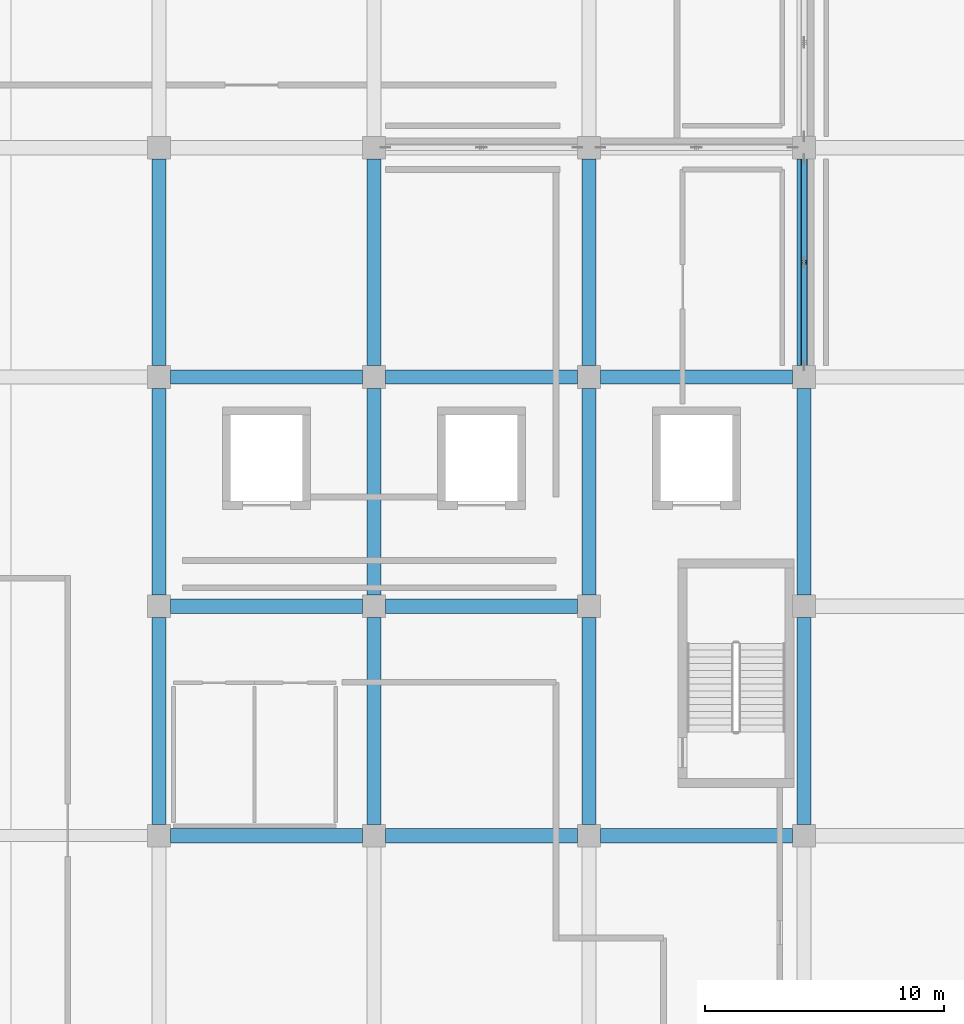
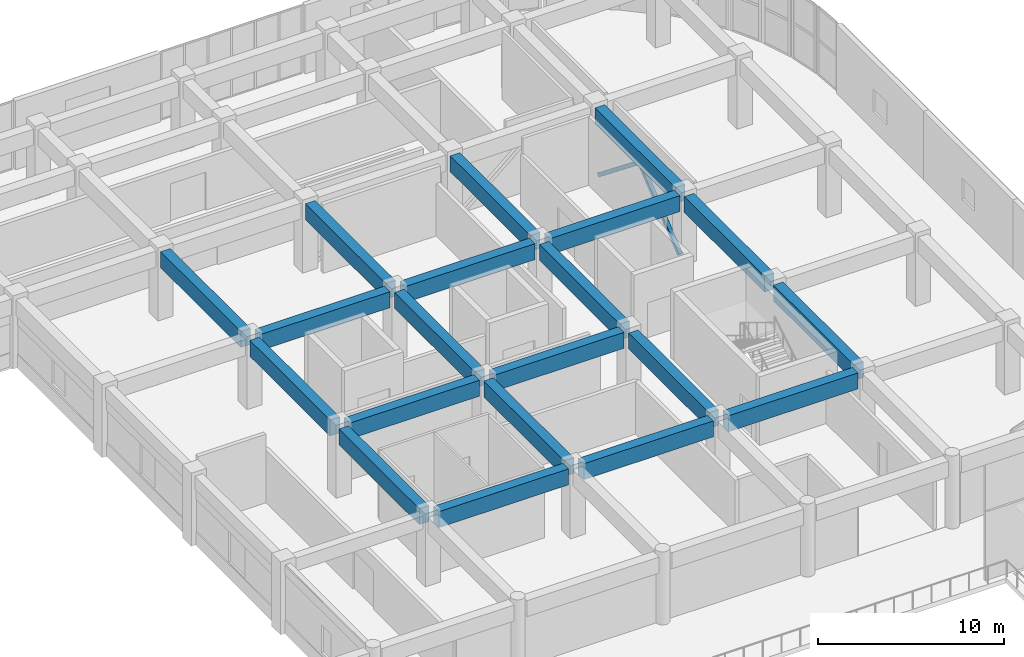
# One storey, part 38 of 86: 20 beams, 2 members.
"""IFC4 building model written with IfcOpenShell, lengths in metres."""

from ifc_helpers import new_model, si_unit, direction, frame, origin, origin_2d, place, context, subcontext, project, spatial, rectangle, hollow_rectangle, extrude, material, material_profile, profile_set, type_object, element, save


model = new_model("IFC4")

# Units and contexts
model_context = context("Model", 3, precision=1e-05, world=origin(), true_north=direction((0.0, 1.0)))
body_context = subcontext(model_context, "Body", "Model", "MODEL_VIEW")
ifc_project = project(units=[si_unit("LENGTHUNIT", "METRE"), si_unit("AREAUNIT", "SQUARE_METRE"), si_unit("VOLUMEUNIT", "CUBIC_METRE"), si_unit("PLANEANGLEUNIT", "RADIAN"), si_unit("MASSUNIT", "GRAM", prefix="KILO")], contexts=[model_context])

# Site, building, storey
site_placement = place(None, origin())
site = spatial("IfcSite", under=ifc_project, at=site_placement, CompositionType="ELEMENT")
building_placement = place(site_placement, origin())
building = spatial("IfcBuilding", under=site, at=building_placement, Name="Cendralis Terraced Arcade", CompositionType="ELEMENT")
storey_placement = place(building_placement, frame((0.0, 0.0, 5.39990234375)))
storey = spatial("IfcBuildingStorey", under=building, at=storey_placement, Name="L01", CompositionType="ELEMENT", Elevation=5.39990234375)

# Beams
ifc_material_1 = material(Name="Concrete f'c 35 MPa", Category="concrete")
ifc_material_profile_1 = material_profile(ifc_material_1, rectangle(XDim=0.60009765625, YDim=1.050048828125, at=origin_2d()), Name="RC-BM-600x1050", Category="LoadBearing")
ifc_profile_set_1 = profile_set([ifc_material_profile_1], Name="Concrete f'c 35 MPa")
beam_type = type_object("IfcBeamType", Name="BM-600x1050", PredefinedType="JOIST", material=ifc_profile_set_1)
for number, where, z_axis, x_axis, name in (
    (1, (130.675048828125, 69.60009765625, 3.97998046875), (1.0, 0.0, 0.0), (0.0, 1.0, 0.0), "Reinforced Concrete Frame Beam BM-X-L02-H-15_16"),
    (2, (139.675048828125, 69.60009765625, 3.97998046875), (1.0, 0.0, 0.0), (0.0, 1.0, 0.0), "Reinforced Concrete Frame Beam BM-X-L02-H-16_17"),
    (3, (148.675048828125, 69.60009765625, 3.97998046875), (1.0, 0.0, 0.0), (0.0, 1.0, 0.0), "Reinforced Concrete Frame Beam BM-X-L02-H-17_18"),
    (4, (130.675048828125, 79.199951171875, 3.97998046875), (1.0, 0.0, 0.0), (0.0, 1.0, 0.0), "Reinforced Concrete Frame Beam BM-X-L02-J-15_16"),
    (5, (139.675048828125, 79.199951171875, 3.97998046875), (1.0, 0.0, 0.0), (0.0, 1.0, 0.0), "Reinforced Concrete Frame Beam BM-X-L02-J-16_17"),
    (6, (130.675048828125, 88.800048828125, 3.97998046875), (1.0, 0.0, 0.0), (0.0, 1.0, 0.0), "Reinforced Concrete Frame Beam BM-X-L02-K-15_16"),
    (7, (139.675048828125, 88.800048828125, 3.97998046875), (1.0, 0.0, 0.0), (0.0, 1.0, 0.0), "Reinforced Concrete Frame Beam BM-X-L02-K-16_17"),
    (8, (148.675048828125, 88.800048828125, 3.97998046875), (1.0, 0.0, 0.0), (0.0, 1.0, 0.0), "Reinforced Concrete Frame Beam BM-X-L02-K-17_18"),
):
    element("IfcBeam", number, at=place(storey_placement, frame(where, z_axis=z_axis, x_axis=x_axis)), inside=storey, type_object=beam_type, Name=name, PredefinedType="JOIST", context=body_context, shape_type="SweptSolid", body=[
        extrude(rectangle(XDim=0.60009765625, YDim=1.050048828125, at=origin_2d()), origin(), (0.0, 0.0, 1.0), 8.050048828125),
    ])
beam_1_placement = place(storey_placement, frame((130.199951171875, 70.074951171875, 3.97998046875), z_axis=(0.0, 1.0, 0.0), x_axis=(-1.0, 0.0, 0.0)))
element("IfcBeam", 9, at=beam_1_placement, inside=storey, type_object=beam_type, Name="Reinforced Concrete Frame Beam BM-Y-L02-15-H_J", PredefinedType="JOIST", context=body_context, shape_type="SweptSolid", body=[
    extrude(rectangle(XDim=0.60009765625, YDim=1.050048828125, at=origin_2d()), origin(), (0.0, 0.0, 1.0), 8.650146484375),
])
beam_2_placement = place(storey_placement, frame((130.199951171875, 79.675048828125, 3.97998046875), z_axis=(0.0, 1.0, 0.0), x_axis=(-1.0, 0.0, 0.0)))
element("IfcBeam", 10, at=beam_2_placement, inside=storey, type_object=beam_type, Name="Reinforced Concrete Frame Beam BM-Y-L02-15-J_K", PredefinedType="JOIST", context=body_context, shape_type="SweptSolid", body=[
    extrude(rectangle(XDim=0.60009765625, YDim=1.050048828125, at=origin_2d()), origin(), (0.0, 0.0, 1.0), 8.64990234375),
])
for number, where, z_axis, x_axis, name in (
    (11, (130.199951171875, 89.27490234375, 3.97998046875), (0.0, 1.0, 0.0), (-1.0, 0.0, 0.0), "Reinforced Concrete Frame Beam BM-Y-L02-15-K_L"),
    (12, (139.199951171875, 70.074951171875, 3.97998046875), (0.0, 1.0, 0.0), (-1.0, 0.0, 0.0), "Reinforced Concrete Frame Beam BM-Y-L02-16-H_J"),
):
    element("IfcBeam", number, at=place(storey_placement, frame(where, z_axis=z_axis, x_axis=x_axis)), inside=storey, type_object=beam_type, Name=name, PredefinedType="JOIST", context=body_context, shape_type="SweptSolid", body=[
        extrude(rectangle(XDim=0.60009765625, YDim=1.050048828125, at=origin_2d()), origin(), (0.0, 0.0, 1.0), 8.650146484375),
    ])
beam_3_placement = place(storey_placement, frame((139.199951171875, 79.675048828125, 3.97998046875), z_axis=(0.0, 1.0, 0.0), x_axis=(-1.0, 0.0, 0.0)))
element("IfcBeam", 13, at=beam_3_placement, inside=storey, type_object=beam_type, Name="Reinforced Concrete Frame Beam BM-Y-L02-16-J_K", PredefinedType="JOIST", context=body_context, shape_type="SweptSolid", body=[
    extrude(rectangle(XDim=0.60009765625, YDim=1.050048828125, at=origin_2d()), origin(), (0.0, 0.0, 1.0), 8.64990234375),
])
for number, where, z_axis, x_axis, name in (
    (14, (139.199951171875, 89.27490234375, 3.97998046875), (0.0, 1.0, 0.0), (-1.0, 0.0, 0.0), "Reinforced Concrete Frame Beam BM-Y-L02-16-K_L"),
    (15, (148.199951171875, 70.074951171875, 3.97998046875), (0.0, 1.0, 0.0), (-1.0, 0.0, 0.0), "Reinforced Concrete Frame Beam BM-Y-L02-17-H_J"),
):
    element("IfcBeam", number, at=place(storey_placement, frame(where, z_axis=z_axis, x_axis=x_axis)), inside=storey, type_object=beam_type, Name=name, PredefinedType="JOIST", context=body_context, shape_type="SweptSolid", body=[
        extrude(rectangle(XDim=0.60009765625, YDim=1.050048828125, at=origin_2d()), origin(), (0.0, 0.0, 1.0), 8.650146484375),
    ])
beam_4_placement = place(storey_placement, frame((148.199951171875, 79.675048828125, 3.97998046875), z_axis=(0.0, 1.0, 0.0), x_axis=(-1.0, 0.0, 0.0)))
element("IfcBeam", 16, at=beam_4_placement, inside=storey, type_object=beam_type, Name="Reinforced Concrete Frame Beam BM-Y-L02-17-J_K", PredefinedType="JOIST", context=body_context, shape_type="SweptSolid", body=[
    extrude(rectangle(XDim=0.60009765625, YDim=1.050048828125, at=origin_2d()), origin(), (0.0, 0.0, 1.0), 8.64990234375),
])
for number, where, z_axis, x_axis, name in (
    (17, (148.199951171875, 89.27490234375, 3.97998046875), (0.0, 1.0, 0.0), (-1.0, 0.0, 0.0), "Reinforced Concrete Frame Beam BM-Y-L02-17-K_L"),
    (18, (157.199951171875, 70.074951171875, 3.97998046875), (0.0, 1.0, 0.0), (-1.0, 0.0, 0.0), "Reinforced Concrete Frame Beam BM-Y-L02-18-H_J"),
):
    element("IfcBeam", number, at=place(storey_placement, frame(where, z_axis=z_axis, x_axis=x_axis)), inside=storey, type_object=beam_type, Name=name, PredefinedType="JOIST", context=body_context, shape_type="SweptSolid", body=[
        extrude(rectangle(XDim=0.60009765625, YDim=1.050048828125, at=origin_2d()), origin(), (0.0, 0.0, 1.0), 8.650146484375),
    ])
beam_5_placement = place(storey_placement, frame((157.199951171875, 79.675048828125, 3.97998046875), z_axis=(0.0, 1.0, 0.0), x_axis=(-1.0, 0.0, 0.0)))
element("IfcBeam", 19, at=beam_5_placement, inside=storey, type_object=beam_type, Name="Reinforced Concrete Frame Beam BM-Y-L02-18-J_K", PredefinedType="JOIST", context=body_context, shape_type="SweptSolid", body=[
    extrude(rectangle(XDim=0.60009765625, YDim=1.050048828125, at=origin_2d()), origin(), (0.0, 0.0, 1.0), 8.64990234375),
])
beam_6_placement = place(storey_placement, frame((157.199951171875, 89.27490234375, 3.97998046875), z_axis=(0.0, 1.0, 0.0), x_axis=(-1.0, 0.0, 0.0)))
element("IfcBeam", 20, at=beam_6_placement, inside=storey, type_object=beam_type, Name="Reinforced Concrete Frame Beam BM-Y-L02-18-K_L", PredefinedType="JOIST", context=body_context, shape_type="SweptSolid", body=[
    extrude(rectangle(XDim=0.60009765625, YDim=1.050048828125, at=origin_2d()), origin(), (0.0, 0.0, 1.0), 8.650146484375),
])

# Members
ifc_material_2 = material(Name="Steel ASTM A572 Grade 50", Category="steel")
ifc_material_profile_2 = material_profile(ifc_material_2, hollow_rectangle(XDim=0.25, YDim=0.25, WallThickness=0.010009765625, InnerFilletRadius=0.010009765625, OuterFilletRadius=0.02001953125, at=origin_2d()), Name="HSS250X250X10", Category="LoadBearing")
ifc_profile_set_2 = profile_set([ifc_material_profile_2], Name="Steel ASTM A572 Grade 50")
member_type = type_object("IfcMemberType", Name="MEM-BRC-HSS250", PredefinedType="BRACE", material=ifc_profile_set_2)
for number, where, z_axis, x_axis, name in (
    (21, (157.199951171875, 89.27490234375, 0.02001953125), (0.0, 0.783080456307, 0.62192041207), (-1.0, 0.0, 0.0), "Chevron Steel Lateral Frame Brace BRC-L01-019"),
    (22, (157.199951171875, 97.925048828125, 0.02001953125), (0.0, -0.783063358796, 0.621941939501), (1.0, 0.0, 0.0), "Chevron Steel Lateral Frame Brace BRC-L01-020"),
):
    element("IfcMember", number, at=place(storey_placement, frame(where, z_axis=z_axis, x_axis=x_axis)), inside=storey, type_object=member_type, Name=name, PredefinedType="BRACE", context=body_context, shape_type="SweptSolid", body=[
        extrude(hollow_rectangle(XDim=0.25, YDim=0.25, WallThickness=0.010009765625, InnerFilletRadius=0.010009765625, OuterFilletRadius=0.02001953125, at=origin_2d()), origin(), (0.0, 0.0, 1.0), 5.523193359375),
    ])

save(model, "model.ifc")
